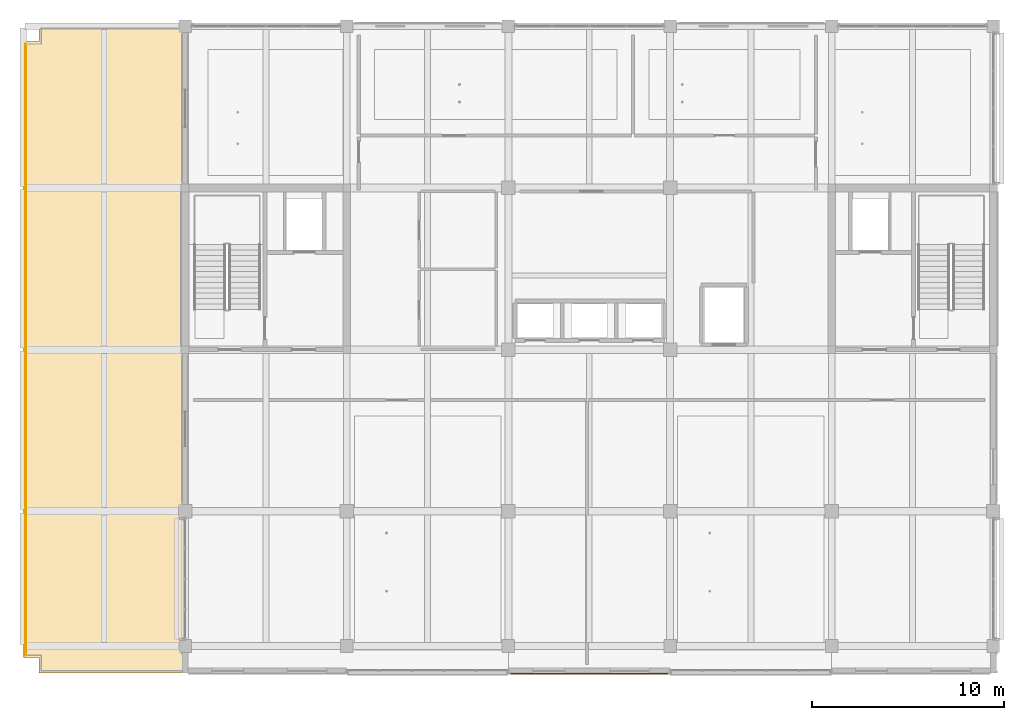
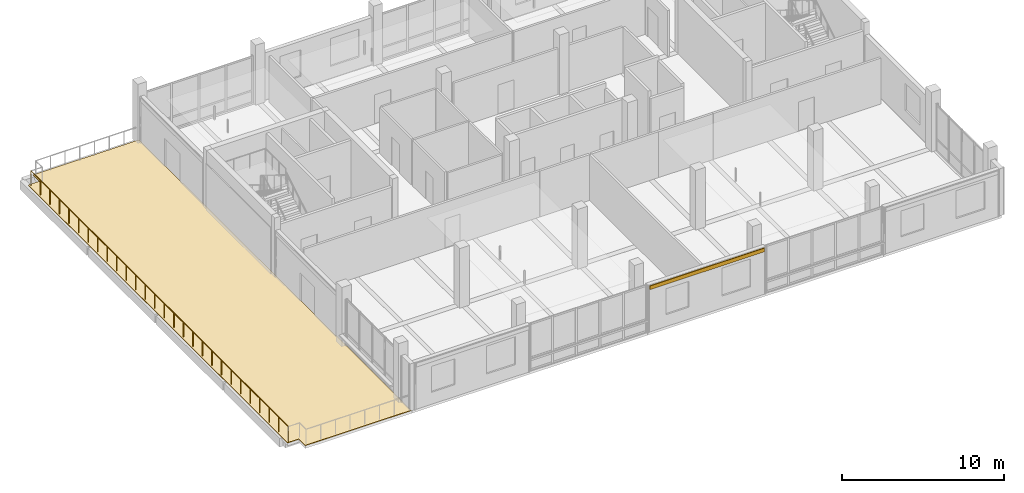
# One storey, part 19 of 28: 2 coverings, 1 railing.
"""IFC4 building model written with IfcOpenShell, lengths in metres."""

from ifc_helpers import new_model, si_unit, direction, frame, origin, origin_2d, place, context, subcontext, project, spatial, polyline, rectangle, circle, outline, extrude, material, layer, layer_set, type_object, element, save


model = new_model("IFC4")

# Units and contexts
model_context = context("Model", 3, precision=1e-05, world=origin(), true_north=direction((0.0, 1.0)))
body_context = subcontext(model_context, "Body", "Model", "MODEL_VIEW")
ifc_project = project(units=[si_unit("LENGTHUNIT", "METRE"), si_unit("AREAUNIT", "SQUARE_METRE"), si_unit("VOLUMEUNIT", "CUBIC_METRE"), si_unit("PLANEANGLEUNIT", "RADIAN"), si_unit("MASSUNIT", "GRAM", prefix="KILO")], contexts=[model_context])

# Site, building, storey
site_placement = place(None, origin())
site = spatial("IfcSite", under=ifc_project, at=site_placement, CompositionType="ELEMENT")
building_placement = place(site_placement, origin())
building = spatial("IfcBuilding", under=site, at=building_placement, Name="Telukmera Botanical Conservatory", CompositionType="ELEMENT")
storey_placement = place(building_placement, frame((0.0, 0.0, 51.0)))
storey = spatial("IfcBuildingStorey", under=building, at=storey_placement, Name="L11", CompositionType="ELEMENT", Elevation=51.0)

# Covering
ifc_material_1 = material(Name="Elastomeric bituminous waterproof roofing membrane")
ifc_layer_1 = layer(ifc_material_1, 0.030029296875)
ifc_layer_set_1 = layer_set([ifc_layer_1], Name="Elastomeric bituminous waterproof roofing membrane")
covering_type_1 = type_object("IfcCoveringType", Name="Elastomeric Bituminous Waterproof Roof Membrane", PredefinedType="ROOFING", material=ifc_layer_set_1)
covering_1_placement = place(storey_placement, origin())
element("IfcCovering", 1, at=covering_1_placement, inside=storey, type_object=covering_type_1, Name="Tower Sky Terrace Waterproofing Membrane L11", PredefinedType="ROOFING", context=body_context, shape_type="SweptSolid", body=[
    extrude(outline(polyline([(51.199951171875, 9.199951171875), (58.75, 9.199951171875), (58.75, 42.800048828125), (51.199951171875, 42.800048828125), (51.199951171875, 42.0), (50.39990234375, 42.0), (50.39990234375, 10.0), (51.199951171875, 10.0), (51.199951171875, 9.199951171875)])), origin(), (0.0, 0.0, 1.0), 0.0400390625),
])

# Railing
ifc_material_2 = material(Name="Brushed stainless steel grade 316", Category="steel")
railing_type = type_object("IfcRailingType", Name="Exterior Terrace Safety Guardrail 1100", PredefinedType="GUARDRAIL", material=ifc_material_2)
railing_placement = place(storey_placement, frame((50.52001953125, 10.1201171875, 0.0400390625)))
element("IfcRailing", 2, at=railing_placement, inside=storey, type_object=railing_type, Name="Tower Sky Terrace Guardrail L11 W", PredefinedType="GUARDRAIL", context=body_context, shape_type="SweptSolid", body=[
    extrude(circle(Radius=0.02392578125, at=origin_2d()), frame((0.0, 0.0, 1.09619140625), z_axis=(0.0, 1.0, 0.0), x_axis=(-1.0, 0.0, 0.0)), (0.0, 0.0, 1.0), 31.759765625),
    extrude(circle(Radius=0.02099609375, at=origin_2d()), origin(), (0.0, 0.0, 1.0), 1.072021484375),
    extrude(circle(Radius=0.02099609375, at=origin_2d()), frame((0.0, 1.17626953125, 0.0)), (0.0, 0.0, 1.0), 1.072021484375),
    extrude(circle(Radius=0.02099609375, at=origin_2d()), frame((0.0, 2.3525390625, 0.0)), (0.0, 0.0, 1.0), 1.072021484375),
    extrude(circle(Radius=0.02099609375, at=origin_2d()), frame((0.0, 3.52880859375, 0.0)), (0.0, 0.0, 1.0), 1.072021484375),
    extrude(circle(Radius=0.02099609375, at=origin_2d()), frame((0.0, 4.705078125, 0.0)), (0.0, 0.0, 1.0), 1.072021484375),
    extrude(circle(Radius=0.02099609375, at=origin_2d()), frame((0.0, 5.88134765625, 0.0)), (0.0, 0.0, 1.0), 1.072021484375),
    extrude(circle(Radius=0.02099609375, at=origin_2d()), frame((0.0, 7.0576171875, 0.0)), (0.0, 0.0, 1.0), 1.072021484375),
    extrude(circle(Radius=0.02099609375, at=origin_2d()), frame((0.0, 8.234130859375, 0.0)), (0.0, 0.0, 1.0), 1.072021484375),
    extrude(circle(Radius=0.02099609375, at=origin_2d()), frame((0.0, 9.410400390625, 0.0)), (0.0, 0.0, 1.0), 1.072021484375),
    extrude(circle(Radius=0.02099609375, at=origin_2d()), frame((0.0, 10.586669921875, 0.0)), (0.0, 0.0, 1.0), 1.072021484375),
    extrude(circle(Radius=0.02099609375, at=origin_2d()), frame((0.0, 11.762939453125, 0.0)), (0.0, 0.0, 1.0), 1.072021484375),
    extrude(circle(Radius=0.02099609375, at=origin_2d()), frame((0.0, 12.939208984375, 0.0)), (0.0, 0.0, 1.0), 1.072021484375),
    extrude(circle(Radius=0.02099609375, at=origin_2d()), frame((0.0, 14.115478515625, 0.0)), (0.0, 0.0, 1.0), 1.072021484375),
    extrude(circle(Radius=0.02099609375, at=origin_2d()), frame((0.0, 15.291748046875, 0.0)), (0.0, 0.0, 1.0), 1.072021484375),
    extrude(circle(Radius=0.02099609375, at=origin_2d()), frame((0.0, 16.468017578125, 0.0)), (0.0, 0.0, 1.0), 1.072021484375),
    extrude(circle(Radius=0.02099609375, at=origin_2d()), frame((0.0, 17.644287109375, 0.0)), (0.0, 0.0, 1.0), 1.072021484375),
    extrude(circle(Radius=0.02099609375, at=origin_2d()), frame((0.0, 18.820556640625, 0.0)), (0.0, 0.0, 1.0), 1.072021484375),
    extrude(circle(Radius=0.02099609375, at=origin_2d()), frame((0.0, 19.996826171875, 0.0)), (0.0, 0.0, 1.0), 1.072021484375),
    extrude(circle(Radius=0.02099609375, at=origin_2d()), frame((0.0, 21.173095703125, 0.0)), (0.0, 0.0, 1.0), 1.072021484375),
    extrude(circle(Radius=0.02099609375, at=origin_2d()), frame((0.0, 22.349365234375, 0.0)), (0.0, 0.0, 1.0), 1.072021484375),
    extrude(circle(Radius=0.02099609375, at=origin_2d()), frame((0.0, 23.525634765625, 0.0)), (0.0, 0.0, 1.0), 1.072021484375),
    extrude(circle(Radius=0.02099609375, at=origin_2d()), frame((0.0, 24.7021484375, 0.0)), (0.0, 0.0, 1.0), 1.072021484375),
    extrude(circle(Radius=0.02099609375, at=origin_2d()), frame((0.0, 25.87841796875, 0.0)), (0.0, 0.0, 1.0), 1.072021484375),
    extrude(circle(Radius=0.02099609375, at=origin_2d()), frame((0.0, 27.0546875, 0.0)), (0.0, 0.0, 1.0), 1.072021484375),
    extrude(circle(Radius=0.02099609375, at=origin_2d()), frame((0.0, 28.23095703125, 0.0)), (0.0, 0.0, 1.0), 1.072021484375),
    extrude(circle(Radius=0.02099609375, at=origin_2d()), frame((0.0, 29.4072265625, 0.0)), (0.0, 0.0, 1.0), 1.072021484375),
    extrude(circle(Radius=0.02099609375, at=origin_2d()), frame((0.0, 30.58349609375, 0.0)), (0.0, 0.0, 1.0), 1.072021484375),
    extrude(circle(Radius=0.02099609375, at=origin_2d()), frame((0.0, 31.759765625, 0.0)), (0.0, 0.0, 1.0), 1.072021484375),
])

# Covering
ifc_material_3 = material(Name="Terracotta-faced precast concrete C40/50", Category="masonry")
ifc_layer_2 = layer(ifc_material_3, 0.06005859375)
ifc_layer_set_2 = layer_set([ifc_layer_2], Name="Terracotta-faced precast concrete C40/50")
covering_type_2 = type_object("IfcCoveringType", Name="Polychrome Terracotta Facade Band Cladding", PredefinedType="CLADDING", material=ifc_layer_set_2)
covering_2_placement = place(storey_placement, frame((79.800048828125, 9.14990234375, 3.22998046875), z_axis=(0.0, 0.0, 1.0), x_axis=(1.0, 0.0, 0.0)))
element("IfcCovering", 3, at=covering_2_placement, inside=storey, type_object=covering_type_2, Name="Polychrome Terracotta Band V4:L11:S3", PredefinedType="CLADDING", context=body_context, shape_type="SweptSolid", body=[
    extrude(rectangle(XDim=8.156005859375, YDim=0.06005859375, at=origin_2d()), origin(), (0.0, 0.0, 1.0), 0.280029296875),
])

save(model, "model.ifc")
